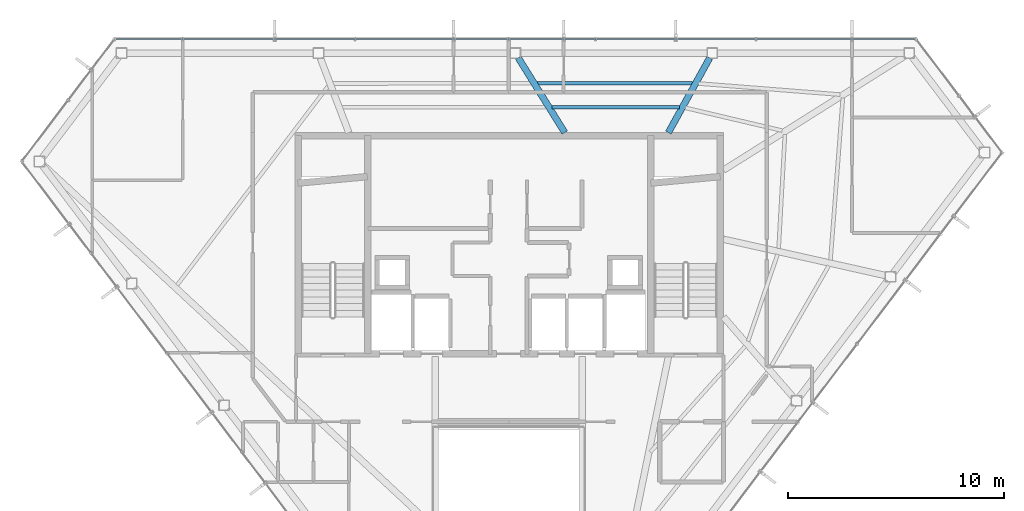
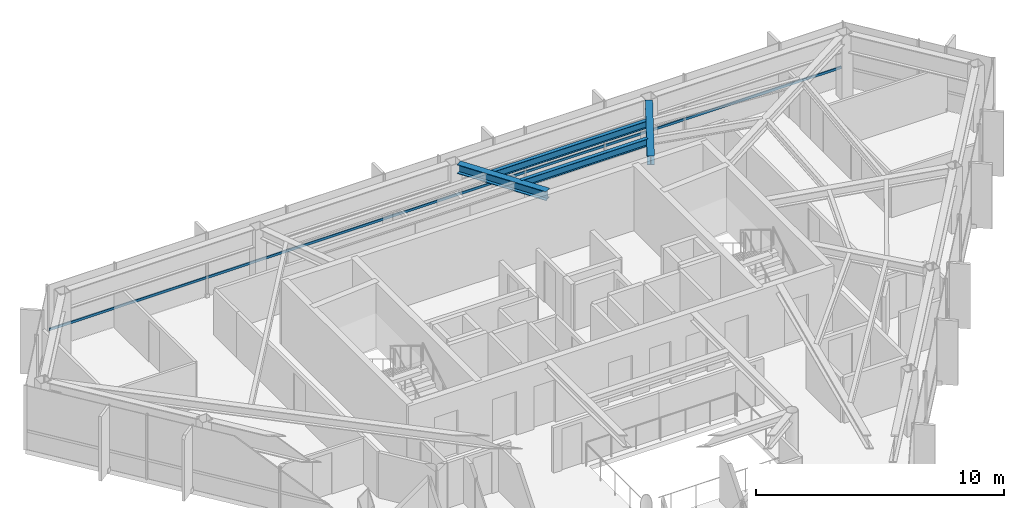
# One storey, part 13 of 26: 4 beams, 1 member, 1 element without a shape of its own.
"""IFC4 building model written with IfcOpenShell, lengths in metres."""

from ifc_helpers import new_model, si_unit, direction, frame, origin, origin_2d, place, context, subcontext, project, spatial, hollow_rectangle, i_section, extrude, material, layer, layer_set, material_profile, profile_set, type_object, element, aggregate, save


model = new_model("IFC4")

# Units and contexts
model_context = context("Model", 3, precision=1e-05, world=origin(), true_north=direction((0.0, 1.0)))
body_context = subcontext(model_context, "Body", "Model", "MODEL_VIEW")
ifc_project = project(units=[si_unit("LENGTHUNIT", "METRE"), si_unit("AREAUNIT", "SQUARE_METRE"), si_unit("VOLUMEUNIT", "CUBIC_METRE"), si_unit("PLANEANGLEUNIT", "RADIAN"), si_unit("MASSUNIT", "GRAM", prefix="KILO")], contexts=[model_context])

# Site, building, storey
site_placement = place(None, origin())
site = spatial("IfcSite", under=ifc_project, at=site_placement, CompositionType="ELEMENT")
building_placement = place(site_placement, origin())
building = spatial("IfcBuilding", under=site, at=building_placement, Name="Zarrinselat Tower", CompositionType="ELEMENT")
storey_placement = place(building_placement, frame((0.0, 0.0, 258.39990234375)))
storey = spatial("IfcBuildingStorey", under=building, at=storey_placement, Name="L65", CompositionType="ELEMENT", Elevation=258.39990234375)

# Beams
ifc_material_1 = material(Name="Steel S355J2", Category="steel")
ifc_material_profile_1 = material_profile(ifc_material_1, i_section(OverallWidth=0.300048828125, OverallDepth=0.449951171875, WebThickness=0.013916015625, FlangeThickness=0.02587890625, at=origin_2d()), Name="HEB 450")
ifc_profile_set_1 = profile_set([ifc_material_profile_1], Name="Steel S355J2")
beam_type_1 = type_object("IfcBeamType", Name="BM-HEB450", PredefinedType="BEAM", material=ifc_profile_set_1)
beam_1_placement = place(storey_placement, frame((45.800048828125, 43.5400390625, 2.955078125), z_axis=(0.483873039518, 0.875138207158, 0.0), x_axis=(-0.875138207158, 0.483873039518, 0.0)))
element("IfcBeam", 1, at=beam_1_placement, inside=storey, type_object=beam_type_1, Name="L65 Radial Primary Girder RG02", PredefinedType="BEAM", context=body_context, shape_type="SweptSolid", body=[
    extrude(i_section(OverallWidth=0.300048828125, OverallDepth=0.449951171875, WebThickness=0.013916015625, FlangeThickness=0.02587890625, at=origin_2d()), origin(), (0.0, 0.0, 1.0), 3.94921875),
])
beam_2_placement = place(storey_placement, frame((38.846923828125, 47.002685546875, 2.955078125), z_axis=(0.528043836267, -0.849217114159, 0.0), x_axis=(0.849217114159, 0.528043836267, 0.0)))
element("IfcBeam", 2, at=beam_2_placement, inside=storey, type_object=beam_type_1, Name="L65 Radial Primary Girder RG03", PredefinedType="BEAM", context=body_context, shape_type="SweptSolid", body=[
    extrude(i_section(OverallWidth=0.300048828125, OverallDepth=0.449951171875, WebThickness=0.013916015625, FlangeThickness=0.02587890625, at=origin_2d()), origin(), (0.0, 0.0, 1.0), 4.077392578125),
])
ifc_material_2 = material(Name="Steel S355J2", Category="steel")
ifc_material_profile_2 = material_profile(ifc_material_2, i_section(OverallWidth=0.169921875, OverallDepth=0.360107421875, WebThickness=0.008056640625, FlangeThickness=0.0126953125, at=origin_2d()), Name="IPE 360")
ifc_profile_set_2 = profile_set([ifc_material_profile_2], Name="Steel S355J2")
beam_type_2 = type_object("IfcBeamType", Name="BM-IPE360", PredefinedType="JOIST", material=ifc_profile_set_2)
beam_3_placement = place(storey_placement, frame((39.718994140625, 45.8251953125, 3.0), z_axis=(0.999999852916, -0.000542372802, 0.0), x_axis=(0.000542372802, 0.999999852916, 0.0)))
element("IfcBeam", 3, at=beam_3_placement, inside=storey, type_object=beam_type_2, Name="L65 Composite Floor Joist 7-1", PredefinedType="JOIST", context=body_context, shape_type="SweptSolid", body=[
    extrude(i_section(OverallWidth=0.169921875, OverallDepth=0.360107421875, WebThickness=0.008056640625, FlangeThickness=0.0126953125, at=origin_2d()), origin(), (0.0, 0.0, 1.0), 7.2021484375),
])
beam_4_placement = place(storey_placement, frame((40.407958984375, 44.71728515625, 3.0), z_axis=(0.999999930696, -0.000372300793, 0.0), x_axis=(0.000372300793, 0.999999930696, 0.0)))
element("IfcBeam", 4, at=beam_4_placement, inside=storey, type_object=beam_type_2, Name="L65 Composite Floor Joist 7-2", PredefinedType="JOIST", context=body_context, shape_type="SweptSolid", body=[
    extrude(i_section(OverallWidth=0.169921875, OverallDepth=0.360107421875, WebThickness=0.008056640625, FlangeThickness=0.0126953125, at=origin_2d()), origin(), (0.0, 0.0, 1.0), 5.90185546875),
])

# Curtain wall, member
ifc_material_3 = material(Name="Extruded Aluminium Alloy EN AW-6063 T6", Category="aluminium")
ifc_layer = layer(ifc_material_3, 0.169921875)
ifc_layer_set = layer_set([ifc_layer], Name="Extruded Aluminium Alloy EN AW-6063 T6")
curtain_wall_type = type_object("IfcCurtainWallType", Name="CWS-RES", PredefinedType="NOTDEFINED", material=ifc_layer_set)
curtain_wall_placement = place(storey_placement, origin())
curtain_wall = element("IfcCurtainWall", 5, at=curtain_wall_placement, inside=storey, type_object=curtain_wall_type, Name="L65 Unitised Curtain Wall CW-L65-E01", PredefinedType="NOTDEFINED")
ifc_material_4 = material(Name="Extruded Aluminium Alloy EN AW-6063 T6", Category="aluminium")
ifc_material_profile_3 = material_profile(ifc_material_4, hollow_rectangle(XDim=0.06005859375, YDim=0.1201171875, WallThickness=0.00390625, at=origin_2d()), Name="RHS 120x60x4")
ifc_profile_set_3 = profile_set([ifc_material_profile_3], Name="Extruded Aluminium Alloy EN AW-6063 T6")
member_type = type_object("IfcMemberType", Name="MEM-CW-TRN2", PredefinedType="USERDEFINED", material=ifc_profile_set_3)
member_placement = place(storey_placement, frame((57.1845703125, 47.86669921875, 0.9501953125), z_axis=(-1.0, 0.0, 0.0), x_axis=(0.0, -1.0, 0.0)))
member = element("IfcMember", 6, at=member_placement, type_object=member_type, Name="CW-L65-E01 Transom 1", ObjectType="TRANSOM", PredefinedType="USERDEFINED", context=body_context, shape_type="SweptSolid", body=[
    extrude(hollow_rectangle(XDim=0.06005859375, YDim=0.1201171875, WallThickness=0.00390625, at=origin_2d()), origin(), (0.0, 0.0, 1.0), 36.941162109375),
])
aggregate(curtain_wall, [member])

save(model, "model.ifc")
